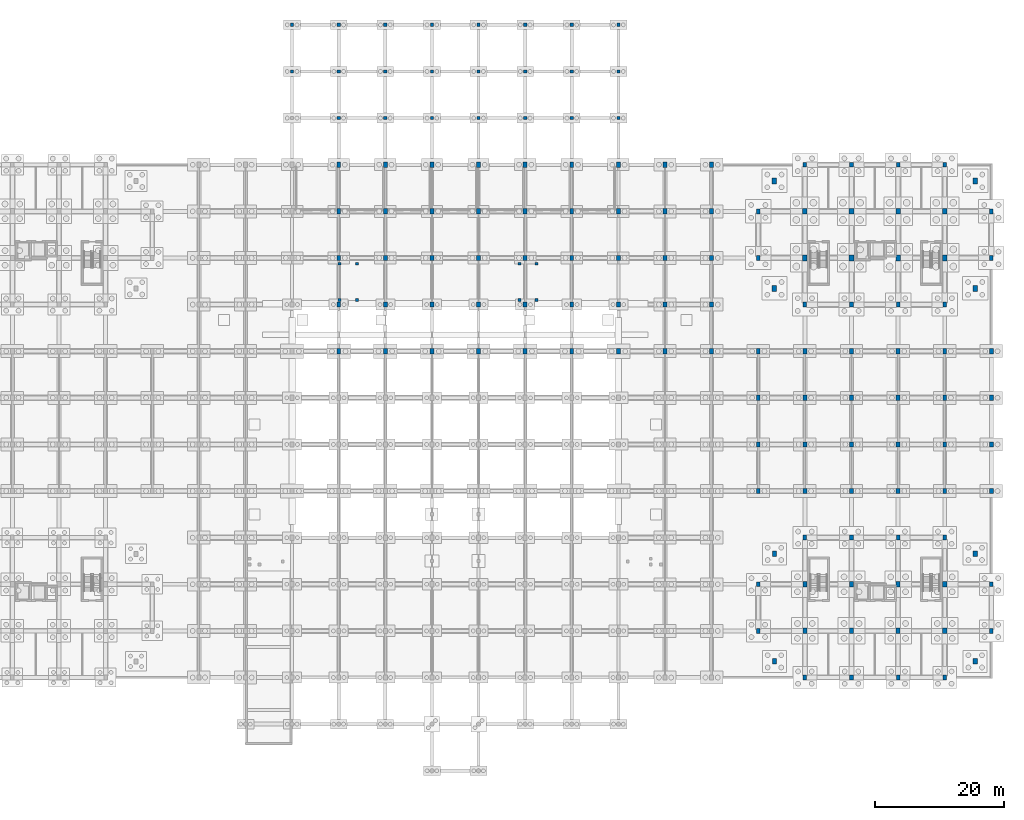
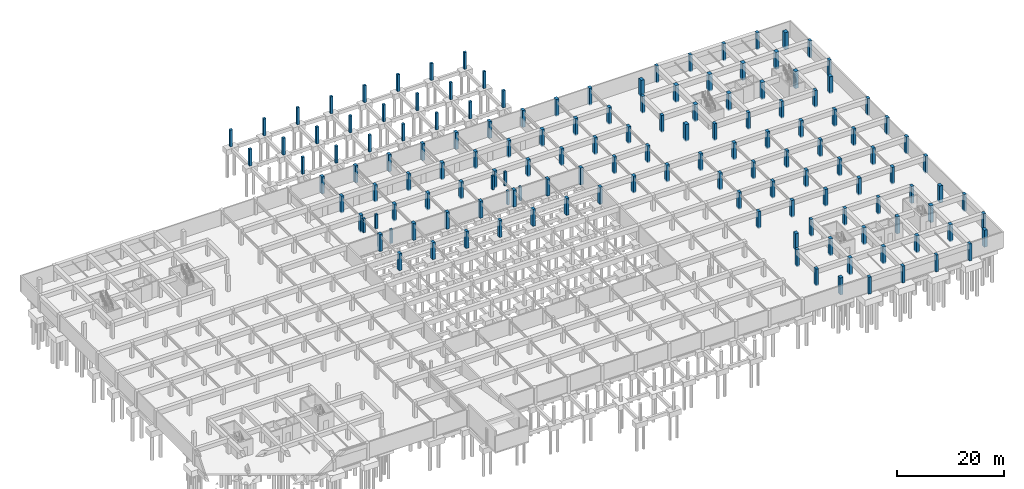
# One storey, part 17 of 36: 148 columns.
"""IFC4 building model written with IfcOpenShell, lengths in metres."""

from ifc_helpers import new_model, si_unit, direction, frame, origin, origin_2d, place, context, subcontext, project, spatial, rectangle, extrude, material, material_profile, profile_set, type_object, element, save


model = new_model("IFC4")

# Units and contexts
model_context = context("Model", 3, precision=1e-05, world=origin(), true_north=direction((0.0, 1.0)))
body_context = subcontext(model_context, "Body", "Model", "MODEL_VIEW")
ifc_project = project(units=[si_unit("LENGTHUNIT", "METRE"), si_unit("AREAUNIT", "SQUARE_METRE"), si_unit("VOLUMEUNIT", "CUBIC_METRE"), si_unit("PLANEANGLEUNIT", "RADIAN"), si_unit("MASSUNIT", "GRAM", prefix="KILO")], contexts=[model_context])

# Site, building, storey
site_placement = place(None, origin())
site = spatial("IfcSite", under=ifc_project, at=site_placement, CompositionType="ELEMENT")
building_placement = place(site_placement, origin())
building = spatial("IfcBuilding", under=site, at=building_placement, Name="Ochrevale Crest", CompositionType="ELEMENT")
storey_placement = place(building_placement, frame((0.0, 0.0, -3.60009765625)))
storey = spatial("IfcBuildingStorey", under=building, at=storey_placement, Name="B1", CompositionType="ELEMENT", Elevation=-3.60009765625)

# Columns
ifc_material_1 = material(Name="Precast concrete C40/50", Category="concrete")
ifc_material_profile_1 = material_profile(ifc_material_1, rectangle(XDim=0.449951171875, YDim=0.449951171875, at=origin_2d()), Name="RC 450x450")
ifc_profile_set_1 = profile_set([ifc_material_profile_1], Name="Precast concrete C40/50")
column_type_1 = type_object("IfcColumnType", Name="COL-RC450x450", PredefinedType="COLUMN", material=ifc_profile_set_1)
for number, where, z_axis, x_axis, name in (
    (1, (64.949951171875, 72.699951171875, 0.0), (0.0, 0.0, 1.0), (1.0, 0.0, 0.0), "ST-CW1 base B1 support column"),
    (2, (64.949951171875, 78.300048828125, 0.0), (0.0, 0.0, 1.0), (1.0, 0.0, 0.0), "ST-CW1 base B1 support column"),
    (3, (67.60009765625, 72.699951171875, 0.0), (0.0, 0.0, 1.0), (1.0, 0.0, 0.0), "ST-CW1 base B1 support column"),
    (4, (67.60009765625, 78.300048828125, 0.0), (0.0, 0.0, 1.0), (1.0, 0.0, 0.0), "ST-CW1 base B1 support column"),
    (5, (92.699951171875, 72.699951171875, 0.0), (0.0, 0.0, 1.0), (1.0, 0.0, 0.0), "ST-CE1 base B1 support column"),
    (6, (92.699951171875, 78.300048828125, 0.0), (0.0, 0.0, 1.0), (1.0, 0.0, 0.0), "ST-CE1 base B1 support column"),
    (7, (95.35009765625, 72.699951171875, 0.0), (0.0, 0.0, 1.0), (1.0, 0.0, 0.0), "ST-CE1 base B1 support column"),
    (8, (95.35009765625, 78.300048828125, 0.0), (0.0, 0.0, 1.0), (1.0, 0.0, 0.0), "ST-CE1 base B1 support column"),
):
    element("IfcColumn", number, at=place(storey_placement, frame(where, z_axis=z_axis, x_axis=x_axis)), inside=storey, type_object=column_type_1, Name=name, PredefinedType="COLUMN", context=body_context, shape_type="SweptSolid", body=[
        extrude(rectangle(XDim=0.449951171875, YDim=0.449951171875, at=origin_2d()), origin(), (0.0, 0.0, 1.0), 3.18017578125),
    ])
ifc_material_2 = material(Name="Precast concrete C50/60", Category="concrete")
ifc_material_profile_2 = material_profile(ifc_material_2, rectangle(XDim=0.5, YDim=0.5, at=origin_2d()), Name="RC 500x500")
ifc_profile_set_2 = profile_set([ifc_material_profile_2], Name="Precast concrete C50/60")
column_type_2 = type_object("IfcColumnType", Name="COL-RC500x500", PredefinedType="COLUMN", material=ifc_profile_set_2)
for number, where, z_axis, x_axis, name in (
    (9, (57.60009765625, 108.0, -0.260009765625), (0.0, 0.0, 1.0), (1.0, 0.0, 0.0), "Play court foundation column (57.6,108.0)"),
    (10, (57.60009765625, 115.199951171875, -0.260009765625), (0.0, 0.0, 1.0), (1.0, 0.0, 0.0), "Play court foundation column (57.6,115.2)"),
    (11, (64.800048828125, 100.800048828125, -0.260009765625), (0.0, 0.0, 1.0), (1.0, 0.0, 0.0), "Play court foundation column (64.8,100.8)"),
    (12, (64.800048828125, 108.0, -0.260009765625), (0.0, 0.0, 1.0), (1.0, 0.0, 0.0), "Play court foundation column (64.8,108.0)"),
    (13, (64.800048828125, 115.199951171875, -0.260009765625), (0.0, 0.0, 1.0), (1.0, 0.0, 0.0), "Play court foundation column (64.8,115.2)"),
    (14, (72.0, 100.800048828125, -0.260009765625), (0.0, 0.0, 1.0), (1.0, 0.0, 0.0), "Play court foundation column (72.0,100.8)"),
    (15, (72.0, 108.0, -0.260009765625), (0.0, 0.0, 1.0), (1.0, 0.0, 0.0), "Play court foundation column (72.0,108.0)"),
    (16, (72.0, 115.199951171875, -0.260009765625), (0.0, 0.0, 1.0), (1.0, 0.0, 0.0), "Play court foundation column (72.0,115.2)"),
    (17, (79.199951171875, 100.800048828125, -0.260009765625), (0.0, 0.0, 1.0), (1.0, 0.0, 0.0), "Play court foundation column (79.2,100.8)"),
    (18, (79.199951171875, 108.0, -0.260009765625), (0.0, 0.0, 1.0), (1.0, 0.0, 0.0), "Play court foundation column (79.2,108.0)"),
    (19, (79.199951171875, 115.199951171875, -0.260009765625), (0.0, 0.0, 1.0), (1.0, 0.0, 0.0), "Play court foundation column (79.2,115.2)"),
    (20, (86.39990234375, 100.800048828125, -0.260009765625), (0.0, 0.0, 1.0), (1.0, 0.0, 0.0), "Play court foundation column (86.4,100.8)"),
    (21, (86.39990234375, 108.0, -0.260009765625), (0.0, 0.0, 1.0), (1.0, 0.0, 0.0), "Play court foundation column (86.4,108.0)"),
    (22, (86.39990234375, 115.199951171875, -0.260009765625), (0.0, 0.0, 1.0), (1.0, 0.0, 0.0), "Play court foundation column (86.4,115.2)"),
    (23, (93.60009765625, 100.800048828125, -0.260009765625), (0.0, 0.0, 1.0), (1.0, 0.0, 0.0), "Play court foundation column (93.6,100.8)"),
    (24, (93.60009765625, 108.0, -0.260009765625), (0.0, 0.0, 1.0), (1.0, 0.0, 0.0), "Play court foundation column (93.6,108.0)"),
    (25, (93.60009765625, 115.199951171875, -0.260009765625), (0.0, 0.0, 1.0), (1.0, 0.0, 0.0), "Play court foundation column (93.6,115.2)"),
    (26, (100.800048828125, 100.800048828125, -0.260009765625), (0.0, 0.0, 1.0), (1.0, 0.0, 0.0), "Play court foundation column (100.8,100.8)"),
    (27, (100.800048828125, 108.0, -0.260009765625), (0.0, 0.0, 1.0), (1.0, 0.0, 0.0), "Play court foundation column (100.8,108.0)"),
    (28, (100.800048828125, 115.199951171875, -0.260009765625), (0.0, 0.0, 1.0), (1.0, 0.0, 0.0), "Play court foundation column (100.8,115.2)"),
    (29, (108.0, 100.800048828125, -0.260009765625), (0.0, 0.0, 1.0), (1.0, 0.0, 0.0), "Play court foundation column (108.0,100.8)"),
    (30, (108.0, 108.0, -0.260009765625), (0.0, 0.0, 1.0), (1.0, 0.0, 0.0), "Play court foundation column (108.0,108.0)"),
    (31, (108.0, 115.199951171875, -0.260009765625), (0.0, 0.0, 1.0), (1.0, 0.0, 0.0), "Play court foundation column (108.0,115.2)"),
):
    element("IfcColumn", number, at=place(storey_placement, frame(where, z_axis=z_axis, x_axis=x_axis)), inside=storey, type_object=column_type_2, Name=name, PredefinedType="COLUMN", context=body_context, shape_type="SweptSolid", body=[
        extrude(rectangle(XDim=0.5, YDim=0.5, at=origin_2d()), origin(), (0.0, 0.0, 1.0), 3.860107421875),
    ])
ifc_material_profile_3 = material_profile(ifc_material_2, rectangle(XDim=0.550048828125, YDim=0.75, at=origin_2d()), Name="RC 550x750")
ifc_profile_set_3 = profile_set([ifc_material_profile_3], Name="Precast concrete C50/60")
column_type_3 = type_object("IfcColumnType", Name="COL-RC550x750", PredefinedType="COLUMN", material=ifc_profile_set_3)
for number, where, z_axis, x_axis, name in (
    (32, (129.60009765625, 21.60009765625, -0.260009765625), (0.0, 0.0, 1.0), (1.0, 0.0, 0.0), "Block C B1 column (129.6,21.6)"),
    (33, (129.60009765625, 28.800048828125, -0.260009765625), (0.0, 0.0, 1.0), (1.0, 0.0, 0.0), "Block C B1 column (129.6,28.8)"),
    (34, (136.800048828125, 14.39990234375, -0.260009765625), (0.0, 0.0, 1.0), (1.0, 0.0, 0.0), "Block C B1 column (136.8,14.4)"),
    (35, (136.800048828125, 36.0, -0.260009765625), (0.0, 0.0, 1.0), (1.0, 0.0, 0.0), "Block C B1 column (136.8,36.0)"),
    (36, (144.0, 14.39990234375, -0.260009765625), (0.0, 0.0, 1.0), (1.0, 0.0, 0.0), "Block C B1 column (144.0,14.4)"),
    (37, (144.0, 36.0, -0.260009765625), (0.0, 0.0, 1.0), (1.0, 0.0, 0.0), "Block C B1 column (144.0,36.0)"),
    (38, (151.199951171875, 14.39990234375, -0.260009765625), (0.0, 0.0, 1.0), (1.0, 0.0, 0.0), "Block C B1 column (151.2,14.4)"),
    (39, (151.199951171875, 36.0, -0.260009765625), (0.0, 0.0, 1.0), (1.0, 0.0, 0.0), "Block C B1 column (151.2,36.0)"),
    (40, (158.39990234375, 14.39990234375, -0.260009765625), (0.0, 0.0, 1.0), (1.0, 0.0, 0.0), "Block C B1 column (158.4,14.4)"),
    (41, (158.39990234375, 36.0, -0.260009765625), (0.0, 0.0, 1.0), (1.0, 0.0, 0.0), "Block C B1 column (158.4,36.0)"),
    (42, (165.60009765625, 21.60009765625, -0.260009765625), (0.0, 0.0, 1.0), (1.0, 0.0, 0.0), "Block C B1 column (165.6,21.6)"),
    (43, (165.60009765625, 28.800048828125, -0.260009765625), (0.0, 0.0, 1.0), (1.0, 0.0, 0.0), "Block C B1 column (165.6,28.8)"),
    (44, (129.60009765625, 79.199951171875, -0.260009765625), (0.0, 0.0, 1.0), (1.0, 0.0, 0.0), "Block D B1 column (129.6,79.2)"),
    (45, (129.60009765625, 86.39990234375, -0.260009765625), (0.0, 0.0, 1.0), (1.0, 0.0, 0.0), "Block D B1 column (129.6,86.4)"),
    (46, (136.800048828125, 72.0, -0.260009765625), (0.0, 0.0, 1.0), (1.0, 0.0, 0.0), "Block D B1 column (136.8,72.0)"),
    (47, (136.800048828125, 93.60009765625, -0.260009765625), (0.0, 0.0, 1.0), (1.0, 0.0, 0.0), "Block D B1 column (136.8,93.6)"),
    (48, (144.0, 72.0, -0.260009765625), (0.0, 0.0, 1.0), (1.0, 0.0, 0.0), "Block D B1 column (144.0,72.0)"),
    (49, (144.0, 93.60009765625, -0.260009765625), (0.0, 0.0, 1.0), (1.0, 0.0, 0.0), "Block D B1 column (144.0,93.6)"),
    (50, (151.199951171875, 72.0, -0.260009765625), (0.0, 0.0, 1.0), (1.0, 0.0, 0.0), "Block D B1 column (151.2,72.0)"),
    (51, (151.199951171875, 93.60009765625, -0.260009765625), (0.0, 0.0, 1.0), (1.0, 0.0, 0.0), "Block D B1 column (151.2,93.6)"),
    (52, (158.39990234375, 72.0, -0.260009765625), (0.0, 0.0, 1.0), (1.0, 0.0, 0.0), "Block D B1 column (158.4,72.0)"),
    (53, (158.39990234375, 93.60009765625, -0.260009765625), (0.0, 0.0, 1.0), (1.0, 0.0, 0.0), "Block D B1 column (158.4,93.6)"),
    (54, (165.60009765625, 79.199951171875, -0.260009765625), (0.0, 0.0, 1.0), (1.0, 0.0, 0.0), "Block D B1 column (165.6,79.2)"),
    (55, (165.60009765625, 86.39990234375, -0.260009765625), (0.0, 0.0, 1.0), (1.0, 0.0, 0.0), "Block D B1 column (165.6,86.4)"),
):
    element("IfcColumn", number, at=place(storey_placement, frame(where, z_axis=z_axis, x_axis=x_axis)), inside=storey, type_object=column_type_3, Name=name, PredefinedType="COLUMN", context=body_context, shape_type="SweptSolid", body=[
        extrude(rectangle(XDim=0.550048828125, YDim=0.75, at=origin_2d()), origin(), (0.0, 0.0, 1.0), 3.860107421875),
    ])
ifc_material_3 = material(Name="Concrete C50/60", Category="concrete")
ifc_material_profile_4 = material_profile(ifc_material_3, rectangle(XDim=0.60009765625, YDim=0.800048828125, at=origin_2d()), Name="RC 600x800")
ifc_profile_set_4 = profile_set([ifc_material_profile_4], Name="Concrete C50/60")
column_type_4 = type_object("IfcColumnType", Name="COL-RC600x800", PredefinedType="COLUMN", material=ifc_profile_set_4)
for number, where, z_axis, x_axis, name in (
    (56, (64.800048828125, 64.800048828125, -0.260009765625), (0.0, 0.0, 1.0), (1.0, 0.0, 0.0), "B1 structural foundation column (64.8,64.8)"),
    (57, (64.800048828125, 72.0, -0.260009765625), (0.0, 0.0, 1.0), (1.0, 0.0, 0.0), "B1 structural foundation column (64.8,72.0)"),
    (58, (64.800048828125, 79.199951171875, -0.260009765625), (0.0, 0.0, 1.0), (1.0, 0.0, 0.0), "B1 structural foundation column (64.8,79.2)"),
    (59, (64.800048828125, 86.39990234375, -0.260009765625), (0.0, 0.0, 1.0), (1.0, 0.0, 0.0), "B1 structural foundation column (64.8,86.4)"),
    (60, (64.800048828125, 93.60009765625, -0.260009765625), (0.0, 0.0, 1.0), (1.0, 0.0, 0.0), "B1 structural foundation column (64.8,93.6)"),
    (61, (72.0, 64.800048828125, -0.260009765625), (0.0, 0.0, 1.0), (1.0, 0.0, 0.0), "B1 structural foundation column (72.0,64.8)"),
    (62, (72.0, 72.0, -0.260009765625), (0.0, 0.0, 1.0), (1.0, 0.0, 0.0), "B1 structural foundation column (72.0,72.0)"),
    (63, (72.0, 79.199951171875, -0.260009765625), (0.0, 0.0, 1.0), (1.0, 0.0, 0.0), "B1 structural foundation column (72.0,79.2)"),
    (64, (72.0, 86.39990234375, -0.260009765625), (0.0, 0.0, 1.0), (1.0, 0.0, 0.0), "B1 structural foundation column (72.0,86.4)"),
    (65, (72.0, 93.60009765625, -0.260009765625), (0.0, 0.0, 1.0), (1.0, 0.0, 0.0), "B1 structural foundation column (72.0,93.6)"),
    (66, (79.199951171875, 64.800048828125, -0.260009765625), (0.0, 0.0, 1.0), (1.0, 0.0, 0.0), "B1 structural foundation column (79.2,64.8)"),
    (67, (79.199951171875, 72.0, -0.260009765625), (0.0, 0.0, 1.0), (1.0, 0.0, 0.0), "B1 structural foundation column (79.2,72.0)"),
    (68, (79.199951171875, 79.199951171875, -0.260009765625), (0.0, 0.0, 1.0), (1.0, 0.0, 0.0), "B1 structural foundation column (79.2,79.2)"),
    (69, (79.199951171875, 86.39990234375, -0.260009765625), (0.0, 0.0, 1.0), (1.0, 0.0, 0.0), "B1 structural foundation column (79.2,86.4)"),
    (70, (79.199951171875, 93.60009765625, -0.260009765625), (0.0, 0.0, 1.0), (1.0, 0.0, 0.0), "B1 structural foundation column (79.2,93.6)"),
    (71, (86.39990234375, 64.800048828125, -0.260009765625), (0.0, 0.0, 1.0), (1.0, 0.0, 0.0), "B1 structural foundation column (86.4,64.8)"),
    (72, (86.39990234375, 72.0, -0.260009765625), (0.0, 0.0, 1.0), (1.0, 0.0, 0.0), "B1 structural foundation column (86.4,72.0)"),
    (73, (86.39990234375, 79.199951171875, -0.260009765625), (0.0, 0.0, 1.0), (1.0, 0.0, 0.0), "B1 structural foundation column (86.4,79.2)"),
    (74, (86.39990234375, 86.39990234375, -0.260009765625), (0.0, 0.0, 1.0), (1.0, 0.0, 0.0), "B1 structural foundation column (86.4,86.4)"),
    (75, (86.39990234375, 93.60009765625, -0.260009765625), (0.0, 0.0, 1.0), (1.0, 0.0, 0.0), "B1 structural foundation column (86.4,93.6)"),
    (76, (93.60009765625, 64.800048828125, -0.260009765625), (0.0, 0.0, 1.0), (1.0, 0.0, 0.0), "B1 structural foundation column (93.6,64.8)"),
    (77, (93.60009765625, 72.0, -0.260009765625), (0.0, 0.0, 1.0), (1.0, 0.0, 0.0), "B1 structural foundation column (93.6,72.0)"),
    (78, (93.60009765625, 79.199951171875, -0.260009765625), (0.0, 0.0, 1.0), (1.0, 0.0, 0.0), "B1 structural foundation column (93.6,79.2)"),
    (79, (93.60009765625, 86.39990234375, -0.260009765625), (0.0, 0.0, 1.0), (1.0, 0.0, 0.0), "B1 structural foundation column (93.6,86.4)"),
    (80, (93.60009765625, 93.60009765625, -0.260009765625), (0.0, 0.0, 1.0), (1.0, 0.0, 0.0), "B1 structural foundation column (93.6,93.6)"),
    (81, (100.800048828125, 64.800048828125, -0.260009765625), (0.0, 0.0, 1.0), (1.0, 0.0, 0.0), "B1 structural foundation column (100.8,64.8)"),
    (82, (100.800048828125, 72.0, -0.260009765625), (0.0, 0.0, 1.0), (1.0, 0.0, 0.0), "B1 structural foundation column (100.8,72.0)"),
    (83, (100.800048828125, 79.199951171875, -0.260009765625), (0.0, 0.0, 1.0), (1.0, 0.0, 0.0), "B1 structural foundation column (100.8,79.2)"),
    (84, (100.800048828125, 86.39990234375, -0.260009765625), (0.0, 0.0, 1.0), (1.0, 0.0, 0.0), "B1 structural foundation column (100.8,86.4)"),
    (85, (100.800048828125, 93.60009765625, -0.260009765625), (0.0, 0.0, 1.0), (1.0, 0.0, 0.0), "B1 structural foundation column (100.8,93.6)"),
    (86, (108.0, 64.800048828125, -0.260009765625), (0.0, 0.0, 1.0), (1.0, 0.0, 0.0), "B1 structural foundation column (108.0,64.8)"),
    (87, (108.0, 72.0, -0.260009765625), (0.0, 0.0, 1.0), (1.0, 0.0, 0.0), "B1 structural foundation column (108.0,72.0)"),
    (88, (108.0, 79.199951171875, -0.260009765625), (0.0, 0.0, 1.0), (1.0, 0.0, 0.0), "B1 structural foundation column (108.0,79.2)"),
    (89, (108.0, 86.39990234375, -0.260009765625), (0.0, 0.0, 1.0), (1.0, 0.0, 0.0), "B1 structural foundation column (108.0,86.4)"),
    (90, (108.0, 93.60009765625, -0.260009765625), (0.0, 0.0, 1.0), (1.0, 0.0, 0.0), "B1 structural foundation column (108.0,93.6)"),
    (91, (115.199951171875, 64.800048828125, -0.260009765625), (0.0, 0.0, 1.0), (1.0, 0.0, 0.0), "B1 structural foundation column (115.2,64.8)"),
    (92, (115.199951171875, 72.0, -0.260009765625), (0.0, 0.0, 1.0), (1.0, 0.0, 0.0), "B1 structural foundation column (115.2,72.0)"),
    (93, (115.199951171875, 79.199951171875, -0.260009765625), (0.0, 0.0, 1.0), (1.0, 0.0, 0.0), "B1 structural foundation column (115.2,79.2)"),
    (94, (115.199951171875, 86.39990234375, -0.260009765625), (0.0, 0.0, 1.0), (1.0, 0.0, 0.0), "B1 structural foundation column (115.2,86.4)"),
    (95, (115.199951171875, 93.60009765625, -0.260009765625), (0.0, 0.0, 1.0), (1.0, 0.0, 0.0), "B1 structural foundation column (115.2,93.6)"),
    (96, (122.39990234375, 64.800048828125, -0.260009765625), (0.0, 0.0, 1.0), (1.0, 0.0, 0.0), "B1 structural foundation column (122.4,64.8)"),
    (97, (122.39990234375, 72.0, -0.260009765625), (0.0, 0.0, 1.0), (1.0, 0.0, 0.0), "B1 structural foundation column (122.4,72.0)"),
    (98, (122.39990234375, 79.199951171875, -0.260009765625), (0.0, 0.0, 1.0), (1.0, 0.0, 0.0), "B1 structural foundation column (122.4,79.2)"),
    (99, (122.39990234375, 86.39990234375, -0.260009765625), (0.0, 0.0, 1.0), (1.0, 0.0, 0.0), "B1 structural foundation column (122.4,86.4)"),
    (100, (122.39990234375, 93.60009765625, -0.260009765625), (0.0, 0.0, 1.0), (1.0, 0.0, 0.0), "B1 structural foundation column (122.4,93.6)"),
    (101, (129.60009765625, 43.199951171875, -0.260009765625), (0.0, 0.0, 1.0), (1.0, 0.0, 0.0), "B1 structural foundation column (129.6,43.2)"),
    (102, (129.60009765625, 50.39990234375, -0.260009765625), (0.0, 0.0, 1.0), (1.0, 0.0, 0.0), "B1 structural foundation column (129.6,50.4)"),
    (103, (129.60009765625, 57.60009765625, -0.260009765625), (0.0, 0.0, 1.0), (1.0, 0.0, 0.0), "B1 structural foundation column (129.6,57.6)"),
    (104, (129.60009765625, 64.800048828125, -0.260009765625), (0.0, 0.0, 1.0), (1.0, 0.0, 0.0), "B1 structural foundation column (129.6,64.8)"),
    (105, (136.800048828125, 43.199951171875, -0.260009765625), (0.0, 0.0, 1.0), (1.0, 0.0, 0.0), "B1 structural foundation column (136.8,43.2)"),
    (106, (136.800048828125, 50.39990234375, -0.260009765625), (0.0, 0.0, 1.0), (1.0, 0.0, 0.0), "B1 structural foundation column (136.8,50.4)"),
    (107, (136.800048828125, 57.60009765625, -0.260009765625), (0.0, 0.0, 1.0), (1.0, 0.0, 0.0), "B1 structural foundation column (136.8,57.6)"),
    (108, (136.800048828125, 64.800048828125, -0.260009765625), (0.0, 0.0, 1.0), (1.0, 0.0, 0.0), "B1 structural foundation column (136.8,64.8)"),
    (109, (144.0, 43.199951171875, -0.260009765625), (0.0, 0.0, 1.0), (1.0, 0.0, 0.0), "B1 structural foundation column (144.0,43.2)"),
    (110, (144.0, 50.39990234375, -0.260009765625), (0.0, 0.0, 1.0), (1.0, 0.0, 0.0), "B1 structural foundation column (144.0,50.4)"),
    (111, (144.0, 57.60009765625, -0.260009765625), (0.0, 0.0, 1.0), (1.0, 0.0, 0.0), "B1 structural foundation column (144.0,57.6)"),
    (112, (144.0, 64.800048828125, -0.260009765625), (0.0, 0.0, 1.0), (1.0, 0.0, 0.0), "B1 structural foundation column (144.0,64.8)"),
    (113, (151.199951171875, 43.199951171875, -0.260009765625), (0.0, 0.0, 1.0), (1.0, 0.0, 0.0), "B1 structural foundation column (151.2,43.2)"),
    (114, (151.199951171875, 50.39990234375, -0.260009765625), (0.0, 0.0, 1.0), (1.0, 0.0, 0.0), "B1 structural foundation column (151.2,50.4)"),
    (115, (151.199951171875, 57.60009765625, -0.260009765625), (0.0, 0.0, 1.0), (1.0, 0.0, 0.0), "B1 structural foundation column (151.2,57.6)"),
    (116, (151.199951171875, 64.800048828125, -0.260009765625), (0.0, 0.0, 1.0), (1.0, 0.0, 0.0), "B1 structural foundation column (151.2,64.8)"),
    (117, (158.39990234375, 43.199951171875, -0.260009765625), (0.0, 0.0, 1.0), (1.0, 0.0, 0.0), "B1 structural foundation column (158.4,43.2)"),
    (118, (158.39990234375, 50.39990234375, -0.260009765625), (0.0, 0.0, 1.0), (1.0, 0.0, 0.0), "B1 structural foundation column (158.4,50.4)"),
    (119, (158.39990234375, 57.60009765625, -0.260009765625), (0.0, 0.0, 1.0), (1.0, 0.0, 0.0), "B1 structural foundation column (158.4,57.6)"),
    (120, (158.39990234375, 64.800048828125, -0.260009765625), (0.0, 0.0, 1.0), (1.0, 0.0, 0.0), "B1 structural foundation column (158.4,64.8)"),
    (121, (165.60009765625, 43.199951171875, -0.260009765625), (0.0, 0.0, 1.0), (1.0, 0.0, 0.0), "B1 structural foundation column (165.6,43.2)"),
    (122, (165.60009765625, 50.39990234375, -0.260009765625), (0.0, 0.0, 1.0), (1.0, 0.0, 0.0), "B1 structural foundation column (165.6,50.4)"),
    (123, (165.60009765625, 57.60009765625, -0.260009765625), (0.0, 0.0, 1.0), (1.0, 0.0, 0.0), "B1 structural foundation column (165.6,57.6)"),
    (124, (165.60009765625, 64.800048828125, -0.260009765625), (0.0, 0.0, 1.0), (1.0, 0.0, 0.0), "B1 structural foundation column (165.6,64.8)"),
):
    element("IfcColumn", number, at=place(storey_placement, frame(where, z_axis=z_axis, x_axis=x_axis)), inside=storey, type_object=column_type_4, Name=name, PredefinedType="COLUMN", context=body_context, shape_type="SweptSolid", body=[
        extrude(rectangle(XDim=0.60009765625, YDim=0.800048828125, at=origin_2d()), origin(), (0.0, 0.0, 1.0), 3.860107421875),
    ])
ifc_material_profile_5 = material_profile(ifc_material_3, rectangle(XDim=0.64990234375, YDim=0.85009765625, at=origin_2d()), Name="RC 650x850")
ifc_profile_set_5 = profile_set([ifc_material_profile_5], Name="Concrete C50/60")
column_type_5 = type_object("IfcColumnType", Name="COL-RC650x850", PredefinedType="COLUMN", material=ifc_profile_set_5)
for number, where, z_axis, x_axis, name in (
    (125, (132.10009765625, 16.89990234375, -0.260009765625), (0.0, 0.0, 1.0), (1.0, 0.0, 0.0), "Block C B1 column (132.1,16.9)"),
    (126, (132.10009765625, 33.5, -0.260009765625), (0.0, 0.0, 1.0), (1.0, 0.0, 0.0), "Block C B1 column (132.1,33.5)"),
    (127, (136.800048828125, 21.60009765625, -0.260009765625), (0.0, 0.0, 1.0), (1.0, 0.0, 0.0), "Block C B1 column (136.8,21.6)"),
    (128, (136.800048828125, 28.800048828125, -0.260009765625), (0.0, 0.0, 1.0), (1.0, 0.0, 0.0), "Block C B1 column (136.8,28.8)"),
    (129, (144.0, 21.60009765625, -0.260009765625), (0.0, 0.0, 1.0), (1.0, 0.0, 0.0), "Block C B1 column (144.0,21.6)"),
    (130, (144.0, 28.800048828125, -0.260009765625), (0.0, 0.0, 1.0), (1.0, 0.0, 0.0), "Block C B1 column (144.0,28.8)"),
    (131, (151.199951171875, 21.60009765625, -0.260009765625), (0.0, 0.0, 1.0), (1.0, 0.0, 0.0), "Block C B1 column (151.2,21.6)"),
    (132, (151.199951171875, 28.800048828125, -0.260009765625), (0.0, 0.0, 1.0), (1.0, 0.0, 0.0), "Block C B1 column (151.2,28.8)"),
    (133, (158.39990234375, 21.60009765625, -0.260009765625), (0.0, 0.0, 1.0), (1.0, 0.0, 0.0), "Block C B1 column (158.4,21.6)"),
    (134, (158.39990234375, 28.800048828125, -0.260009765625), (0.0, 0.0, 1.0), (1.0, 0.0, 0.0), "Block C B1 column (158.4,28.8)"),
    (135, (163.10009765625, 16.89990234375, -0.260009765625), (0.0, 0.0, 1.0), (1.0, 0.0, 0.0), "Block C B1 column (163.1,16.9)"),
    (136, (163.10009765625, 33.5, -0.260009765625), (0.0, 0.0, 1.0), (1.0, 0.0, 0.0), "Block C B1 column (163.1,33.5)"),
):
    element("IfcColumn", number, at=place(storey_placement, frame(where, z_axis=z_axis, x_axis=x_axis)), inside=storey, type_object=column_type_5, Name=name, PredefinedType="COLUMN", context=body_context, shape_type="SweptSolid", body=[
        extrude(rectangle(XDim=0.64990234375, YDim=0.85009765625, at=origin_2d()), origin(), (0.0, 0.0, 1.0), 3.860107421875),
    ])
ifc_material_profile_6 = material_profile(ifc_material_3, rectangle(XDim=0.699951171875, YDim=0.89990234375, at=origin_2d()), Name="RC 700x900")
ifc_profile_set_6 = profile_set([ifc_material_profile_6], Name="Concrete C50/60")
column_type_6 = type_object("IfcColumnType", Name="COL-RC700x900", PredefinedType="COLUMN", material=ifc_profile_set_6)
for number, where, z_axis, x_axis, name in (
    (137, (132.10009765625, 74.5, -0.260009765625), (0.0, 0.0, 1.0), (1.0, 0.0, 0.0), "Block D B1 column (132.1,74.5)"),
    (138, (132.10009765625, 91.10009765625, -0.260009765625), (0.0, 0.0, 1.0), (1.0, 0.0, 0.0), "Block D B1 column (132.1,91.1)"),
    (139, (136.800048828125, 79.199951171875, -0.260009765625), (0.0, 0.0, 1.0), (1.0, 0.0, 0.0), "Block D B1 column (136.8,79.2)"),
    (140, (136.800048828125, 86.39990234375, -0.260009765625), (0.0, 0.0, 1.0), (1.0, 0.0, 0.0), "Block D B1 column (136.8,86.4)"),
    (141, (144.0, 79.199951171875, -0.260009765625), (0.0, 0.0, 1.0), (1.0, 0.0, 0.0), "Block D B1 column (144.0,79.2)"),
    (142, (144.0, 86.39990234375, -0.260009765625), (0.0, 0.0, 1.0), (1.0, 0.0, 0.0), "Block D B1 column (144.0,86.4)"),
    (143, (151.199951171875, 79.199951171875, -0.260009765625), (0.0, 0.0, 1.0), (1.0, 0.0, 0.0), "Block D B1 column (151.2,79.2)"),
    (144, (151.199951171875, 86.39990234375, -0.260009765625), (0.0, 0.0, 1.0), (1.0, 0.0, 0.0), "Block D B1 column (151.2,86.4)"),
    (145, (158.39990234375, 79.199951171875, -0.260009765625), (0.0, 0.0, 1.0), (1.0, 0.0, 0.0), "Block D B1 column (158.4,79.2)"),
    (146, (158.39990234375, 86.39990234375, -0.260009765625), (0.0, 0.0, 1.0), (1.0, 0.0, 0.0), "Block D B1 column (158.4,86.4)"),
    (147, (163.10009765625, 74.5, -0.260009765625), (0.0, 0.0, 1.0), (1.0, 0.0, 0.0), "Block D B1 column (163.1,74.5)"),
    (148, (163.10009765625, 91.10009765625, -0.260009765625), (0.0, 0.0, 1.0), (1.0, 0.0, 0.0), "Block D B1 column (163.1,91.1)"),
):
    element("IfcColumn", number, at=place(storey_placement, frame(where, z_axis=z_axis, x_axis=x_axis)), inside=storey, type_object=column_type_6, Name=name, PredefinedType="COLUMN", context=body_context, shape_type="SweptSolid", body=[
        extrude(rectangle(XDim=0.699951171875, YDim=0.89990234375, at=origin_2d()), origin(), (0.0, 0.0, 1.0), 3.860107421875),
    ])

save(model, "model.ifc")
